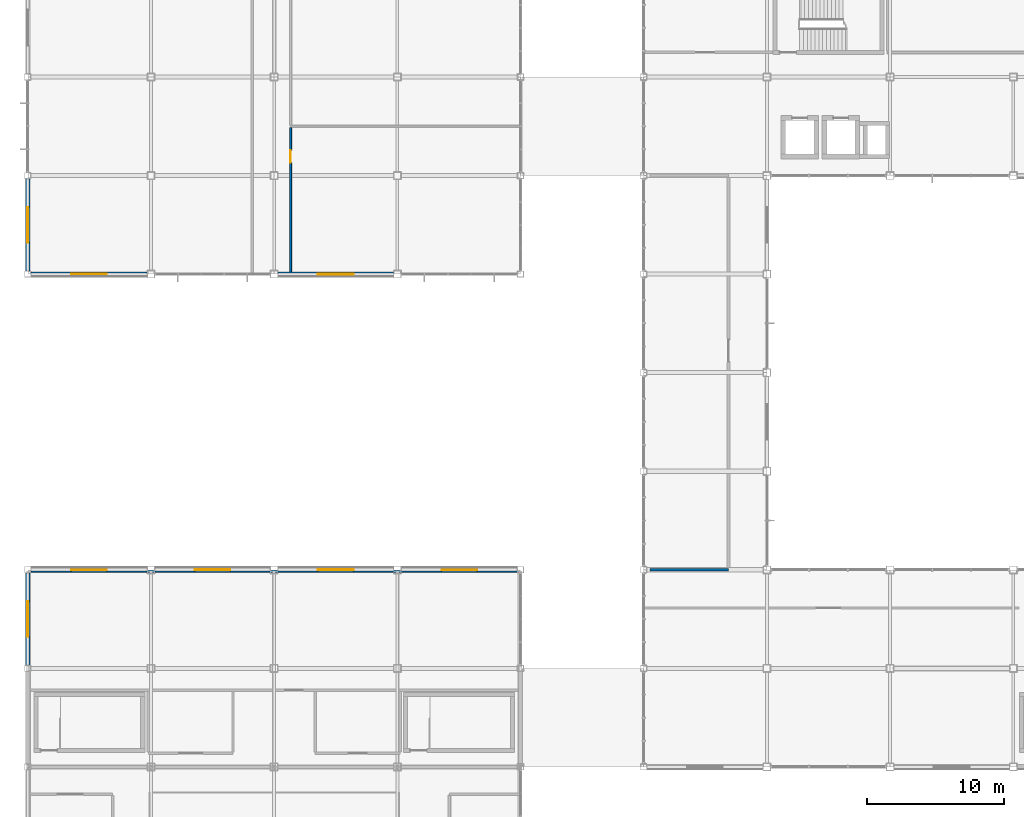
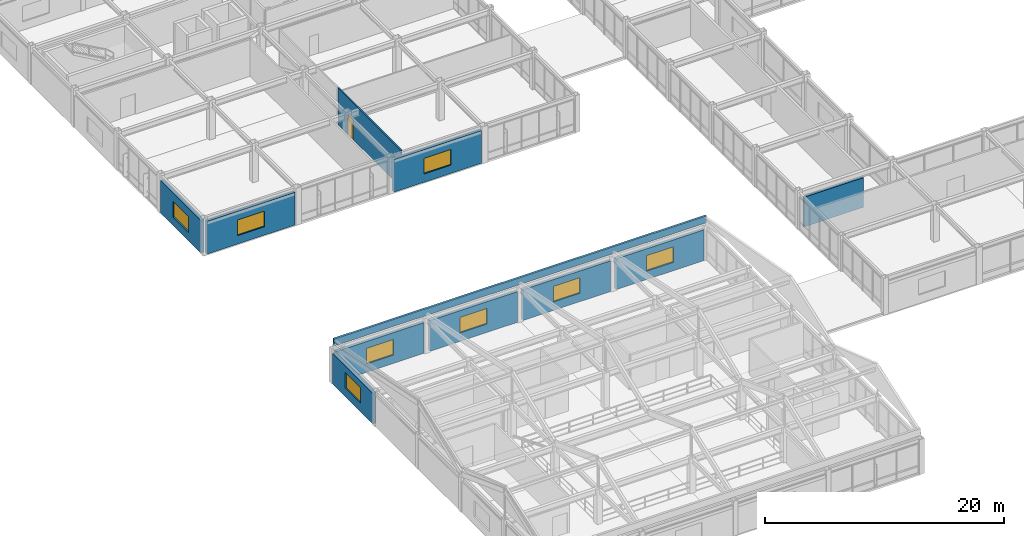
# One storey, part 93 of 113: 11 walls, 8 windows, 1 door, 9 openings.
"""IFC4 building model written with IfcOpenShell, lengths in metres."""

from ifc_helpers import new_model, si_unit, direction, frame, frame_2d, origin, place, context, subcontext, project, spatial, rectangle, extrude, material, layer, layer_set, type_object, element, fill, save


model = new_model("IFC4")

# Units and contexts
model_context = context("Model", 3, precision=1e-05, world=origin(), true_north=direction((0.0, 1.0)))
body_context = subcontext(model_context, "Body", "Model", "MODEL_VIEW")
ifc_project = project(units=[si_unit("LENGTHUNIT", "METRE"), si_unit("AREAUNIT", "SQUARE_METRE"), si_unit("VOLUMEUNIT", "CUBIC_METRE"), si_unit("PLANEANGLEUNIT", "RADIAN"), si_unit("MASSUNIT", "GRAM", prefix="KILO")], contexts=[model_context])

# Site, building, storey
site_placement = place(None, origin())
site = spatial("IfcSite", under=ifc_project, at=site_placement, CompositionType="ELEMENT")
building_placement = place(site_placement, origin())
building = spatial("IfcBuilding", under=site, at=building_placement, Name="Kazanami Central Library", CompositionType="ELEMENT")
storey_placement = place(building_placement, frame((0.0, 0.0, 8.800048828125)))
storey = spatial("IfcBuildingStorey", under=building, at=storey_placement, Name="L03", CompositionType="ELEMENT", Elevation=8.800048828125)

# Wall, opening, window
ifc_material_1 = material(Name="Concrete Fc36 (36 MPa)", Category="concrete")
ifc_layer_1 = layer(ifc_material_1, 0.219970703125, Name="Concrete Fc36 (36 MPa)")
ifc_material_2 = material(Name="Extruded Polystyrene XPS", Category="earth")
ifc_layer_2 = layer(ifc_material_2, 0.050048828125, Name="Extruded Polystyrene XPS")
ifc_material_3 = material(Name="Honed Inada Granite", Category="masonry")
ifc_layer_3 = layer(ifc_material_3, 0.030029296875, Name="Honed Inada Granite")
ifc_layer_set_1 = layer_set([ifc_layer_1, ifc_layer_2, ifc_layer_3], Name="Concrete Fc36 (36 MPa)")
wall_type_1 = type_object("IfcWallType", Name="WAL-EW-300", PredefinedType="STANDARD", material=ifc_layer_set_1)
wall_1_placement = place(storey_placement, frame((0.0, 29.02490234375, 0.0), z_axis=(0.0, 0.0, 1.0), x_axis=(0.0, 1.0, 0.0)))
wall_1 = element("IfcWall", 1, at=wall_1_placement, inside=storey, type_object=wall_type_1, Name="Exterior Facade Wall EW-300 L03 W-1-04", PredefinedType="STANDARD", context=body_context, shape_type="SweptSolid", body=[
    extrude(rectangle(XDim=6.75, YDim=0.300048828125, at=frame_2d((3.375, 0.0))), origin(), (0.0, 0.0, 1.0), 3.1298828125),
])
opening_1_placement = place(wall_1_placement, frame((2.074951171875, 0.0, 0.85009765625)))
opening_1 = element("IfcOpeningElement", 2, at=opening_1_placement, cuts=wall_1, Name="Opening WN-13", PredefinedType="OPENING", context=body_context, shape_type="SweptSolid", body=[
    extrude(rectangle(XDim=2.60009765625, YDim=1.60009765625, at=frame_2d((1.300048828125, 0.800048828125))), frame((0.0, 0.162109375, 0.0), z_axis=(0.0, -1.0, 0.0), x_axis=(1.0, 0.0, 0.0)), (0.0, 0.0, 1.0), 0.323974609375),
])
ifc_material_4 = material(Name="Low-E Insulated Triple Glass", Category="glass")
window_type = type_object("IfcWindowType", Name="WIN-WN-13", PartitioningType="DOUBLE_PANEL_VERTICAL", PredefinedType="WINDOW", material=ifc_material_4)
window_1_placement = place(opening_1_placement, origin())
window_1 = element("IfcWindow", 3, at=window_1_placement, inside=storey, type_object=window_type, Name="Facade Window WN-13 L03 W-1-04", OverallHeight=1.60009765625, OverallWidth=2.60009765625, PartitioningType="DOUBLE_PANEL_VERTICAL", PredefinedType="WINDOW", context=body_context, shape_type="SweptSolid", body=[
    extrude(rectangle(XDim=2.60009765625, YDim=1.60009765625, at=frame_2d((1.300048828125, 0.800048828125))), frame((0.0, 0.030029296875, 0.0), z_axis=(0.0, -1.0, 0.0), x_axis=(1.0, 0.0, 0.0)), (0.0, 0.0, 1.0), 0.06005859375),
])
fill(opening_1, window_1)

wall_2_placement = place(storey_placement, frame((0.0, 57.824951171875, 0.0), z_axis=(0.0, 0.0, 1.0), x_axis=(0.0, 1.0, 0.0)))
wall_2 = element("IfcWall", 4, at=wall_2_placement, inside=storey, type_object=wall_type_1, Name="Exterior Facade Wall EW-300 L03 W-1-08", PredefinedType="STANDARD", context=body_context, shape_type="SweptSolid", body=[
    extrude(rectangle(XDim=6.75, YDim=0.300048828125, at=frame_2d((3.375, 0.0))), origin(), (0.0, 0.0, 1.0), 3.329833984375),
])
opening_2_placement = place(wall_2_placement, frame((2.074951171875, 0.0, 0.85009765625)))
opening_2 = element("IfcOpeningElement", 5, at=opening_2_placement, cuts=wall_2, Name="Opening WN-13", PredefinedType="OPENING", context=body_context, shape_type="SweptSolid", body=[
    extrude(rectangle(XDim=2.60009765625, YDim=1.60009765625, at=frame_2d((1.300048828125, 0.800048828125))), frame((0.0, 0.162109375, 0.0), z_axis=(0.0, -1.0, 0.0), x_axis=(1.0, 0.0, 0.0)), (0.0, 0.0, 1.0), 0.323974609375),
])
window_2_placement = place(opening_2_placement, origin())
window_2 = element("IfcWindow", 6, at=window_2_placement, inside=storey, type_object=window_type, Name="Facade Window WN-13 L03 W-1-08", OverallHeight=1.60009765625, OverallWidth=2.60009765625, PartitioningType="DOUBLE_PANEL_VERTICAL", PredefinedType="WINDOW", context=body_context, shape_type="SweptSolid", body=[
    extrude(rectangle(XDim=2.60009765625, YDim=1.60009765625, at=frame_2d((1.300048828125, 0.800048828125))), frame((0.0, 0.030029296875, 0.0), z_axis=(0.0, -1.0, 0.0), x_axis=(1.0, 0.0, 0.0)), (0.0, 0.0, 1.0), 0.06005859375),
])
fill(opening_2, window_2)

ifc_layer_4 = layer(ifc_material_1, 0.239990234375, Name="Concrete Fc36 (36 MPa)")
ifc_layer_5 = layer(ifc_material_2, 0.050048828125, Name="Extruded Polystyrene XPS")
ifc_layer_6 = layer(ifc_material_3, 0.030029296875, Name="Honed Inada Granite")
ifc_layer_set_2 = layer_set([ifc_layer_4, ifc_layer_5, ifc_layer_6], Name="Concrete Fc36 (36 MPa)")
wall_type_2 = type_object("IfcWallType", Name="WAL-EW-320", PredefinedType="STANDARD", material=ifc_layer_set_2)
wall_3_placement = place(storey_placement, frame((8.72509765625, 36.0, 0.0), z_axis=(0.0, 0.0, 1.0), x_axis=(-1.0, 0.0, 0.0)))
wall_3 = element("IfcWall", 7, at=wall_3_placement, inside=storey, type_object=wall_type_2, Name="Exterior Facade Wall EW-320 L03 N-F-00", PredefinedType="STANDARD", context=body_context, shape_type="SweptSolid", body=[
    extrude(rectangle(XDim=8.5, YDim=0.320068359375, at=frame_2d((4.25, 0.0))), origin(), (0.0, 0.0, 1.0), 3.1298828125),
])
opening_3_placement = place(wall_3_placement, frame((2.949951171875, 0.0, 0.85009765625)))
opening_3 = element("IfcOpeningElement", 8, at=opening_3_placement, cuts=wall_3, Name="Opening WN-13", PredefinedType="OPENING", context=body_context, shape_type="SweptSolid", body=[
    extrude(rectangle(XDim=2.60009765625, YDim=1.60009765625, at=frame_2d((1.300048828125, 0.800048828125))), frame((0.0, 0.171875, 0.0), z_axis=(0.0, -1.0, 0.0), x_axis=(1.0, 0.0, 0.0)), (0.0, 0.0, 1.0), 0.343994140625),
])
window_3_placement = place(opening_3_placement, origin())
window_3 = element("IfcWindow", 9, at=window_3_placement, inside=storey, type_object=window_type, Name="Facade Window WN-13 L03 N-F-00", OverallHeight=1.60009765625, OverallWidth=2.60009765625, PartitioningType="DOUBLE_PANEL_VERTICAL", PredefinedType="WINDOW", context=body_context, shape_type="SweptSolid", body=[
    extrude(rectangle(XDim=2.60009765625, YDim=1.60009765625, at=frame_2d((1.300048828125, 0.800048828125))), frame((0.0, 0.030029296875, 0.0), z_axis=(0.0, -1.0, 0.0), x_axis=(1.0, 0.0, 0.0)), (0.0, 0.0, 1.0), 0.06005859375),
])
fill(opening_3, window_3)

wall_4_placement = place(storey_placement, frame((17.72509765625, 36.0, 0.0), z_axis=(0.0, 0.0, 1.0), x_axis=(-1.0, 0.0, 0.0)))
wall_4 = element("IfcWall", 10, at=wall_4_placement, inside=storey, type_object=wall_type_2, Name="Exterior Facade Wall EW-320 L03 N-F-01", PredefinedType="STANDARD", context=body_context, shape_type="SweptSolid", body=[
    extrude(rectangle(XDim=8.4501953125, YDim=0.320068359375, at=frame_2d((4.22509765625, 0.0))), origin(), (0.0, 0.0, 1.0), 3.1298828125),
])
opening_4_placement = place(wall_4_placement, frame((2.925048828125, 0.0, 0.85009765625)))
opening_4 = element("IfcOpeningElement", 11, at=opening_4_placement, cuts=wall_4, Name="Opening WN-13", PredefinedType="OPENING", context=body_context, shape_type="SweptSolid", body=[
    extrude(rectangle(XDim=2.60009765625, YDim=1.60009765625, at=frame_2d((1.300048828125, 0.800048828125))), frame((0.0, 0.171875, 0.0), z_axis=(0.0, -1.0, 0.0), x_axis=(1.0, 0.0, 0.0)), (0.0, 0.0, 1.0), 0.343994140625),
])
window_4_placement = place(opening_4_placement, origin())
window_4 = element("IfcWindow", 12, at=window_4_placement, inside=storey, type_object=window_type, Name="Facade Window WN-13 L03 N-F-01", OverallHeight=1.60009765625, OverallWidth=2.60009765625, PartitioningType="DOUBLE_PANEL_VERTICAL", PredefinedType="WINDOW", context=body_context, shape_type="SweptSolid", body=[
    extrude(rectangle(XDim=2.60009765625, YDim=1.60009765625, at=frame_2d((1.300048828125, 0.800048828125))), frame((0.0, 0.030029296875, 0.0), z_axis=(0.0, -1.0, 0.0), x_axis=(1.0, 0.0, 0.0)), (0.0, 0.0, 1.0), 0.06005859375),
])
fill(opening_4, window_4)

wall_5_placement = place(storey_placement, frame((26.72509765625, 36.0, 0.0), z_axis=(0.0, 0.0, 1.0), x_axis=(-1.0, 0.0, 0.0)))
wall_5 = element("IfcWall", 13, at=wall_5_placement, inside=storey, type_object=wall_type_2, Name="Exterior Facade Wall EW-320 L03 N-F-02", PredefinedType="STANDARD", context=body_context, shape_type="SweptSolid", body=[
    extrude(rectangle(XDim=8.4501953125, YDim=0.320068359375, at=frame_2d((4.22509765625, 0.0))), origin(), (0.0, 0.0, 1.0), 3.1298828125),
])
opening_5_placement = place(wall_5_placement, frame((2.925048828125, 0.0, 0.85009765625)))
opening_5 = element("IfcOpeningElement", 14, at=opening_5_placement, cuts=wall_5, Name="Opening WN-13", PredefinedType="OPENING", context=body_context, shape_type="SweptSolid", body=[
    extrude(rectangle(XDim=2.60009765625, YDim=1.60009765625, at=frame_2d((1.300048828125, 0.800048828125))), frame((0.0, 0.171875, 0.0), z_axis=(0.0, -1.0, 0.0), x_axis=(1.0, 0.0, 0.0)), (0.0, 0.0, 1.0), 0.343994140625),
])
window_5_placement = place(opening_5_placement, origin())
window_5 = element("IfcWindow", 15, at=window_5_placement, inside=storey, type_object=window_type, Name="Facade Window WN-13 L03 N-F-02", OverallHeight=1.60009765625, OverallWidth=2.60009765625, PartitioningType="DOUBLE_PANEL_VERTICAL", PredefinedType="WINDOW", context=body_context, shape_type="SweptSolid", body=[
    extrude(rectangle(XDim=2.60009765625, YDim=1.60009765625, at=frame_2d((1.300048828125, 0.800048828125))), frame((0.0, 0.030029296875, 0.0), z_axis=(0.0, -1.0, 0.0), x_axis=(1.0, 0.0, 0.0)), (0.0, 0.0, 1.0), 0.06005859375),
])
fill(opening_5, window_5)

wall_6_placement = place(storey_placement, frame((35.77490234375, 36.0, 0.0), z_axis=(0.0, 0.0, 1.0), x_axis=(-1.0, 0.0, 0.0)))
wall_6 = element("IfcWall", 16, at=wall_6_placement, inside=storey, type_object=wall_type_2, Name="Exterior Facade Wall EW-320 L03 N-F-03", PredefinedType="STANDARD", context=body_context, shape_type="SweptSolid", body=[
    extrude(rectangle(XDim=8.5, YDim=0.320068359375, at=frame_2d((4.25, 0.0))), origin(), (0.0, 0.0, 1.0), 3.1298828125),
])
opening_6_placement = place(wall_6_placement, frame((2.949951171875, 0.0, 0.85009765625)))
opening_6 = element("IfcOpeningElement", 17, at=opening_6_placement, cuts=wall_6, Name="Opening WN-13", PredefinedType="OPENING", context=body_context, shape_type="SweptSolid", body=[
    extrude(rectangle(XDim=2.60009765625, YDim=1.60009765625, at=frame_2d((1.300048828125, 0.800048828125))), frame((0.0, 0.171875, 0.0), z_axis=(0.0, -1.0, 0.0), x_axis=(1.0, 0.0, 0.0)), (0.0, 0.0, 1.0), 0.343994140625),
])
window_6_placement = place(opening_6_placement, origin())
window_6 = element("IfcWindow", 18, at=window_6_placement, inside=storey, type_object=window_type, Name="Facade Window WN-13 L03 N-F-03", OverallHeight=1.60009765625, OverallWidth=2.60009765625, PartitioningType="DOUBLE_PANEL_VERTICAL", PredefinedType="WINDOW", context=body_context, shape_type="SweptSolid", body=[
    extrude(rectangle(XDim=2.60009765625, YDim=1.60009765625, at=frame_2d((1.300048828125, 0.800048828125))), frame((0.0, 0.030029296875, 0.0), z_axis=(0.0, -1.0, 0.0), x_axis=(1.0, 0.0, 0.0)), (0.0, 0.0, 1.0), 0.06005859375),
])
fill(opening_6, window_6)

wall_7_placement = place(storey_placement, frame((0.22509765625, 57.60009765625, 0.0), z_axis=(0.0, 0.0, 1.0), x_axis=(1.0, 0.0, 0.0)))
wall_7 = element("IfcWall", 19, at=wall_7_placement, inside=storey, type_object=wall_type_2, Name="Exterior Facade Wall EW-320 L03 S-J-00", PredefinedType="STANDARD", context=body_context, shape_type="SweptSolid", body=[
    extrude(rectangle(XDim=8.5, YDim=0.320068359375, at=frame_2d((4.25, 0.0))), origin(), (0.0, 0.0, 1.0), 3.329833984375),
])
opening_7_placement = place(wall_7_placement, frame((2.949951171875, 0.0, 0.85009765625)))
opening_7 = element("IfcOpeningElement", 20, at=opening_7_placement, cuts=wall_7, Name="Opening WN-13", PredefinedType="OPENING", context=body_context, shape_type="SweptSolid", body=[
    extrude(rectangle(XDim=2.60009765625, YDim=1.60009765625, at=frame_2d((1.300048828125, 0.800048828125))), frame((0.0, 0.171875, 0.0), z_axis=(0.0, -1.0, 0.0), x_axis=(1.0, 0.0, 0.0)), (0.0, 0.0, 1.0), 0.343994140625),
])
window_7_placement = place(opening_7_placement, origin())
window_7 = element("IfcWindow", 21, at=window_7_placement, inside=storey, type_object=window_type, Name="Facade Window WN-13 L03 S-J-00", OverallHeight=1.60009765625, OverallWidth=2.60009765625, PartitioningType="DOUBLE_PANEL_VERTICAL", PredefinedType="WINDOW", context=body_context, shape_type="SweptSolid", body=[
    extrude(rectangle(XDim=2.60009765625, YDim=1.60009765625, at=frame_2d((1.300048828125, 0.800048828125))), frame((0.0, 0.030029296875, 0.0), z_axis=(0.0, -1.0, 0.0), x_axis=(1.0, 0.0, 0.0)), (0.0, 0.0, 1.0), 0.06005859375),
])
fill(opening_7, window_7)

wall_8_placement = place(storey_placement, frame((18.27490234375, 57.60009765625, 0.0), z_axis=(0.0, 0.0, 1.0), x_axis=(1.0, 0.0, 0.0)))
wall_8 = element("IfcWall", 22, at=wall_8_placement, inside=storey, type_object=wall_type_2, Name="Exterior Facade Wall EW-320 L03 S-J-02", PredefinedType="STANDARD", context=body_context, shape_type="SweptSolid", body=[
    extrude(rectangle(XDim=8.4501953125, YDim=0.320068359375, at=frame_2d((4.22509765625, 0.0))), origin(), (0.0, 0.0, 1.0), 3.329833984375),
])
opening_8_placement = place(wall_8_placement, frame((2.925048828125, 0.0, 0.85009765625)))
opening_8 = element("IfcOpeningElement", 23, at=opening_8_placement, cuts=wall_8, Name="Opening WN-13", PredefinedType="OPENING", context=body_context, shape_type="SweptSolid", body=[
    extrude(rectangle(XDim=2.60009765625, YDim=1.60009765625, at=frame_2d((1.300048828125, 0.800048828125))), frame((0.0, 0.171875, 0.0), z_axis=(0.0, -1.0, 0.0), x_axis=(1.0, 0.0, 0.0)), (0.0, 0.0, 1.0), 0.343994140625),
])
window_8_placement = place(opening_8_placement, origin())
window_8 = element("IfcWindow", 24, at=window_8_placement, inside=storey, type_object=window_type, Name="Facade Window WN-13 L03 S-J-02", OverallHeight=1.60009765625, OverallWidth=2.60009765625, PartitioningType="DOUBLE_PANEL_VERTICAL", PredefinedType="WINDOW", context=body_context, shape_type="SweptSolid", body=[
    extrude(rectangle(XDim=2.60009765625, YDim=1.60009765625, at=frame_2d((1.300048828125, 0.800048828125))), frame((0.0, 0.030029296875, 0.0), z_axis=(0.0, -1.0, 0.0), x_axis=(1.0, 0.0, 0.0)), (0.0, 0.0, 1.0), 0.06005859375),
])
fill(opening_8, window_8)

# Wall
ifc_material_5 = material(Name="Fire-Resistant Gypsum Board GB-F", Category="gypsum")
ifc_layer_7 = layer(ifc_material_5, 0.199951171875, Name="Fire-Resistant Gypsum Board GB-F")
ifc_layer_set_3 = layer_set([ifc_layer_7], Name="Fire-Resistant Gypsum Board GB-F")
wall_type_3 = type_object("IfcWallType", Name="WAL-FW-200", PredefinedType="PARTITIONING", material=ifc_layer_set_3)
wall_9_placement = place(storey_placement, frame((45.455078125, 36.0, 0.0), z_axis=(0.0, 0.0, 1.0), x_axis=(1.0, 0.0, 0.0)))
element("IfcWall", 25, at=wall_9_placement, inside=storey, type_object=wall_type_3, Name="Interior Partition FW-200 L03 RM-27 (South)", PredefinedType="PARTITIONING", context=body_context, shape_type="SweptSolid", body=[
    extrude(rectangle(XDim=5.744873046875, YDim=0.199951171875, at=frame_2d((2.87255859375, 0.0))), origin(), (0.0, 0.0, 1.0), 3.02490234375),
])

# Wall, opening, door
ifc_material_6 = material(Name="Gypsum Plasterboard GB-R", Category="gypsum")
ifc_layer_8 = layer(ifc_material_6, 0.135009765625, Name="Gypsum Plasterboard GB-R")
ifc_layer_set_4 = layer_set([ifc_layer_8], Name="Gypsum Plasterboard GB-R")
wall_type_4 = type_object("IfcWallType", Name="WAL-PW-135", PredefinedType="PARTITIONING", material=ifc_layer_set_4)
wall_10_placement = place(storey_placement, frame((19.199951171875, 57.764892578125, 0.0), z_axis=(0.0, 0.0, 1.0), x_axis=(0.0, 1.0, 0.0)))
wall_10 = element("IfcWall", 26, at=wall_10_placement, inside=storey, type_object=wall_type_4, Name="Interior Partition PW-135 L03 RM-16 (West)", PredefinedType="PARTITIONING", context=body_context, shape_type="SweptSolid", body=[
    extrude(rectangle(XDim=10.545166015625, YDim=0.135009765625, at=frame_2d((5.2724609375, 0.0))), origin(), (0.0, 0.0, 1.0), 3.780029296875),
])
opening_9_placement = place(wall_10_placement, frame((7.97509765625, 0.0, 0.0)))
opening_9 = element("IfcOpeningElement", 27, at=opening_9_placement, cuts=wall_10, Name="Opening ID-02", PredefinedType="OPENING", context=body_context, shape_type="SweptSolid", body=[
    extrude(rectangle(XDim=0.919921875, YDim=2.06005859375, at=frame_2d((0.4599609375, 1.030029296875))), frame((0.0, 0.07958984375, 0.0), z_axis=(0.0, -1.0, 0.0), x_axis=(1.0, 0.0, 0.0)), (0.0, 0.0, 1.0), 0.158935546875),
])
ifc_material_7 = material(Name="White Oak Hardwood", Category="wood")
door_type = type_object("IfcDoorType", Name="DOR-ID-02", OperationType="NOTDEFINED", PredefinedType="DOOR", material=ifc_material_7)
door_placement = place(opening_9_placement, origin())
door = element("IfcDoor", 28, at=door_placement, inside=storey, type_object=door_type, Name="Interior Door ID-02 L03 RM-16", OperationType="SINGLE_SWING_LEFT", OverallHeight=2.06005859375, OverallWidth=0.919921875, PredefinedType="DOOR", context=body_context, shape_type="SweptSolid", body=[
    extrude(rectangle(XDim=0.919921875, YDim=2.06005859375, at=frame_2d((0.4599609375, 1.030029296875))), frame((0.0, 0.02490234375, 0.0), z_axis=(0.0, -1.0, 0.0), x_axis=(1.0, 0.0, 0.0)), (0.0, 0.0, 1.0), 0.050048828125),
])
fill(opening_9, door)

# Wall
ifc_layer_9 = layer(ifc_material_1, 0.18994140625, Name="Concrete Fc36 (36 MPa)")
ifc_layer_set_5 = layer_set([ifc_layer_9], Name="Concrete Fc36 (36 MPa)")
wall_type_5 = type_object("IfcWallType", Name="WAL-PW-190", PredefinedType="PARAPET", material=ifc_layer_set_5)
wall_11_placement = place(storey_placement, frame((0.0, 35.905029296875, 3.800048828125), z_axis=(0.0, 0.0, 1.0), x_axis=(1.0, 0.0, 0.0)))
element("IfcWall", 29, at=wall_11_placement, inside=storey, type_object=wall_type_5, Name="Roof Eave Parapet V3-N", PredefinedType="PARAPET", context=body_context, shape_type="SweptSolid", body=[
    extrude(rectangle(XDim=36.0, YDim=0.18994140625, at=frame_2d((18.0, 0.0))), origin(), (0.0, 0.0, 1.0), 0.699951171875),
])

save(model, "model.ifc")
